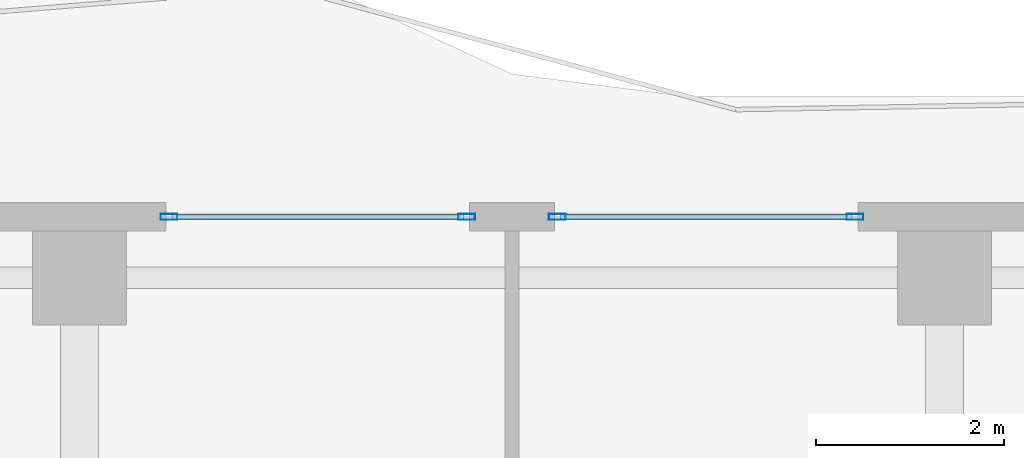
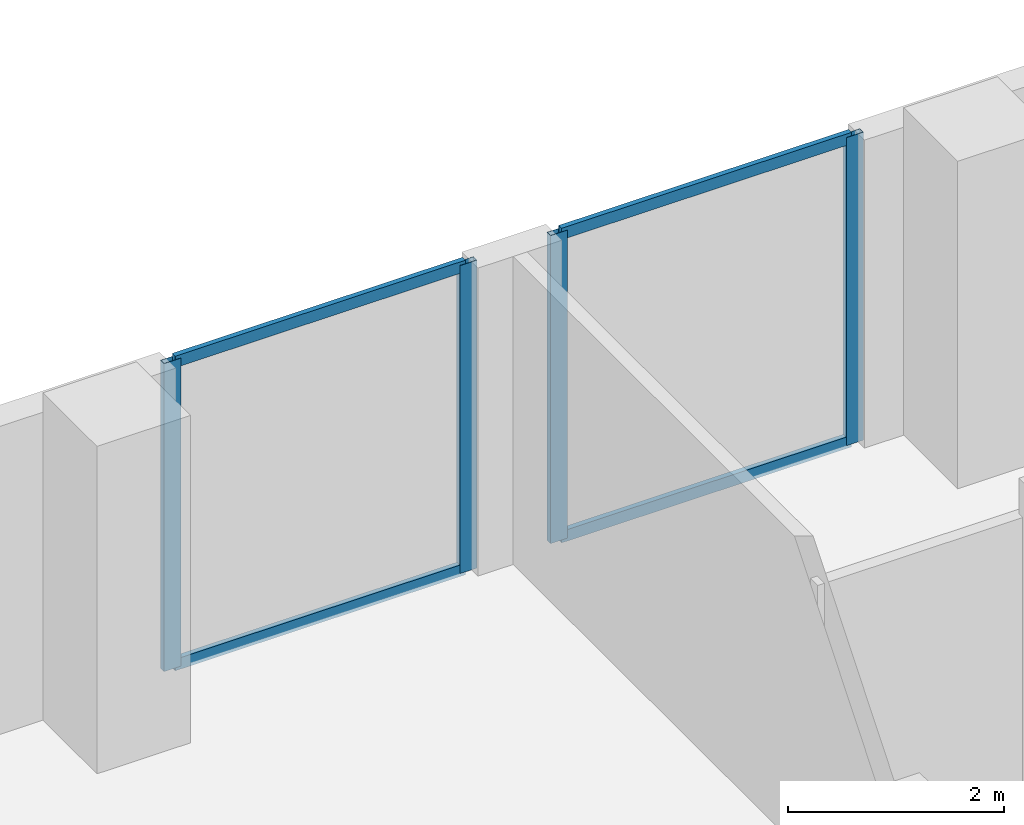
# One storey, part 15 of 26: 8 members, 2 elements without a shape of their own.
"""IFC4 building model written with IfcOpenShell, lengths in metres."""

from ifc_helpers import new_model, si_unit, direction, frame, origin, origin_2d, place, context, subcontext, project, spatial, hollow_rectangle, extrude, material, layer, layer_set, material_profile, profile_set, type_object, element, aggregate, save


model = new_model("IFC4")

# Units and contexts
model_context = context("Model", 3, precision=1e-05, world=origin(), true_north=direction((0.0, 1.0)))
body_context = subcontext(model_context, "Body", "Model", "MODEL_VIEW")
ifc_project = project(units=[si_unit("LENGTHUNIT", "METRE"), si_unit("AREAUNIT", "SQUARE_METRE"), si_unit("VOLUMEUNIT", "CUBIC_METRE"), si_unit("PLANEANGLEUNIT", "RADIAN"), si_unit("MASSUNIT", "GRAM", prefix="KILO")], contexts=[model_context])

# Site, building, storey
site_placement = place(None, origin())
site = spatial("IfcSite", under=ifc_project, at=site_placement, CompositionType="ELEMENT")
building_placement = place(site_placement, origin())
building = spatial("IfcBuilding", under=site, at=building_placement, Name="Zuhayl Quay Hotel", CompositionType="ELEMENT")
storey_placement = place(building_placement, frame((0.0, 0.0, 254.449951171875)))
storey = spatial("IfcBuildingStorey", under=building, at=storey_placement, Name="L64", CompositionType="ELEMENT", Elevation=254.449951171875)

# Curtain wall, members
ifc_material_1 = material(Name="Anodised Aluminium 6063-T6", Category="aluminium")
ifc_layer = layer(ifc_material_1, 0.169921875, Name="Anodised Aluminium 6063-T6", Category="aluminium")
ifc_layer_set = layer_set([ifc_layer], Name="Anodised Aluminium 6063-T6")
curtain_wall_type = type_object("IfcCurtainWallType", Name="CW_SYS_Z4", PredefinedType="USERDEFINED", material=ifc_layer_set)
curtain_wall_1_placement = place(storey_placement, origin())
curtain_wall_1 = element("IfcCurtainWall", 1, at=curtain_wall_1_placement, inside=storey, type_object=curtain_wall_type, Name="L64 Curtain Wall ENV_L64_N_CW2", ObjectType="UNITISED CURTAIN WALL", PredefinedType="USERDEFINED")
ifc_material_2 = material(Name="Black-anodised aluminium 6063-T6", Category="aluminium")
ifc_material_profile_1 = material_profile(ifc_material_2, hollow_rectangle(XDim=0.06494140625, YDim=0.179931640625, WallThickness=0.00341796875, at=origin_2d()), Name="ALU180X65")
ifc_profile_set_1 = profile_set([ifc_material_profile_1], Name="Black-anodised aluminium 6063-T6")
member_type_1 = type_object("IfcMemberType", Name="MB_CW_MUL_180", PredefinedType="MULLION", material=ifc_profile_set_1)
member_1_placement = place(storey_placement, frame((-3.6474609375, 39.0, 0.0), z_axis=(0.0, 0.0, 1.0), x_axis=(0.0, 1.0, 0.0)))
member_1 = element("IfcMember", 2, at=member_1_placement, type_object=member_type_1, Name="CW-Z4 mullion 1", PredefinedType="MULLION", context=body_context, shape_type="SweptSolid", body=[
    extrude(hollow_rectangle(XDim=0.06494140625, YDim=0.179931640625, WallThickness=0.00341796875, at=origin_2d()), origin(), (0.0, 0.0, 1.0), 3.47998046875),
])
member_2_placement = place(storey_placement, frame((-0.482421875, 39.0, 0.0), z_axis=(0.0, 0.0, 1.0), x_axis=(0.0, 1.0, 0.0)))
member_2 = element("IfcMember", 3, at=member_2_placement, type_object=member_type_1, Name="CW-Z4 mullion 2", PredefinedType="MULLION", context=body_context, shape_type="SweptSolid", body=[
    extrude(hollow_rectangle(XDim=0.06494140625, YDim=0.179931640625, WallThickness=0.00341796875, at=origin_2d()), origin(), (0.0, 0.0, 1.0), 3.47998046875),
])

curtain_wall_2_placement = place(storey_placement, origin())
curtain_wall_2 = element("IfcCurtainWall", 4, at=curtain_wall_2_placement, inside=storey, type_object=curtain_wall_type, Name="L64 Curtain Wall ENV_L64_N_CW3", ObjectType="UNITISED CURTAIN WALL", PredefinedType="USERDEFINED")
member_3_placement = place(storey_placement, frame((0.482421875, 39.0, 0.0), z_axis=(0.0, 0.0, 1.0), x_axis=(0.0, 1.0, 0.0)))
member_3 = element("IfcMember", 5, at=member_3_placement, type_object=member_type_1, Name="CW-Z4 mullion 1", PredefinedType="MULLION", context=body_context, shape_type="SweptSolid", body=[
    extrude(hollow_rectangle(XDim=0.06494140625, YDim=0.179931640625, WallThickness=0.00341796875, at=origin_2d()), origin(), (0.0, 0.0, 1.0), 3.47998046875),
])
member_4_placement = place(storey_placement, frame((3.6474609375, 39.0, 0.0), z_axis=(0.0, 0.0, 1.0), x_axis=(0.0, 1.0, 0.0)))
member_4 = element("IfcMember", 6, at=member_4_placement, type_object=member_type_1, Name="CW-Z4 mullion 2", PredefinedType="MULLION", context=body_context, shape_type="SweptSolid", body=[
    extrude(hollow_rectangle(XDim=0.06494140625, YDim=0.179931640625, WallThickness=0.00341796875, at=origin_2d()), origin(), (0.0, 0.0, 1.0), 3.47998046875),
])

# Member
ifc_material_profile_2 = material_profile(ifc_material_2, hollow_rectangle(XDim=0.054931640625, YDim=0.1298828125, WallThickness=0.0029296875, at=origin_2d()), Name="ALU130X55")
ifc_profile_set_2 = profile_set([ifc_material_profile_2], Name="Black-anodised aluminium 6063-T6")
member_type_2 = type_object("IfcMemberType", Name="MB_CW_TRN_130", PredefinedType="USERDEFINED", material=ifc_profile_set_2)
member_5_placement = place(storey_placement, frame((-3.614990234375, 39.0, 0.027587890625), z_axis=(1.0, 0.0, 0.0), x_axis=(0.0, 1.0, 0.0)))
member_5 = element("IfcMember", 7, at=member_5_placement, type_object=member_type_2, Name="CW-Z4 transom 1.1", ObjectType="TRANSOM", PredefinedType="USERDEFINED", context=body_context, shape_type="SweptSolid", body=[
    extrude(hollow_rectangle(XDim=0.054931640625, YDim=0.1298828125, WallThickness=0.0029296875, at=origin_2d()), origin(), (0.0, 0.0, 1.0), 3.10009765625),
])

member_6_placement = place(storey_placement, frame((-3.614990234375, 39.0, 3.45263671875), z_axis=(1.0, 0.0, 0.0), x_axis=(0.0, 1.0, 0.0)))
member_6 = element("IfcMember", 8, at=member_6_placement, type_object=member_type_2, Name="CW-Z4 transom 1.2", ObjectType="TRANSOM", PredefinedType="USERDEFINED", context=body_context, shape_type="SweptSolid", body=[
    extrude(hollow_rectangle(XDim=0.054931640625, YDim=0.1298828125, WallThickness=0.0029296875, at=origin_2d()), origin(), (0.0, 0.0, 1.0), 3.10009765625),
])

aggregate(curtain_wall_1, [member_1, member_2, member_5, member_6])

member_7_placement = place(storey_placement, frame((0.514892578125, 39.0, 0.027587890625), z_axis=(1.0, 0.0, 0.0), x_axis=(0.0, 1.0, 0.0)))
member_7 = element("IfcMember", 9, at=member_7_placement, type_object=member_type_2, Name="CW-Z4 transom 1.1", ObjectType="TRANSOM", PredefinedType="USERDEFINED", context=body_context, shape_type="SweptSolid", body=[
    extrude(hollow_rectangle(XDim=0.054931640625, YDim=0.1298828125, WallThickness=0.0029296875, at=origin_2d()), origin(), (0.0, 0.0, 1.0), 3.10009765625),
])

member_8_placement = place(storey_placement, frame((0.514892578125, 39.0, 3.45263671875), z_axis=(1.0, 0.0, 0.0), x_axis=(0.0, 1.0, 0.0)))
member_8 = element("IfcMember", 10, at=member_8_placement, type_object=member_type_2, Name="CW-Z4 transom 1.2", ObjectType="TRANSOM", PredefinedType="USERDEFINED", context=body_context, shape_type="SweptSolid", body=[
    extrude(hollow_rectangle(XDim=0.054931640625, YDim=0.1298828125, WallThickness=0.0029296875, at=origin_2d()), origin(), (0.0, 0.0, 1.0), 3.10009765625),
])

aggregate(curtain_wall_2, [member_3, member_4, member_7, member_8])

save(model, "model.ifc")
